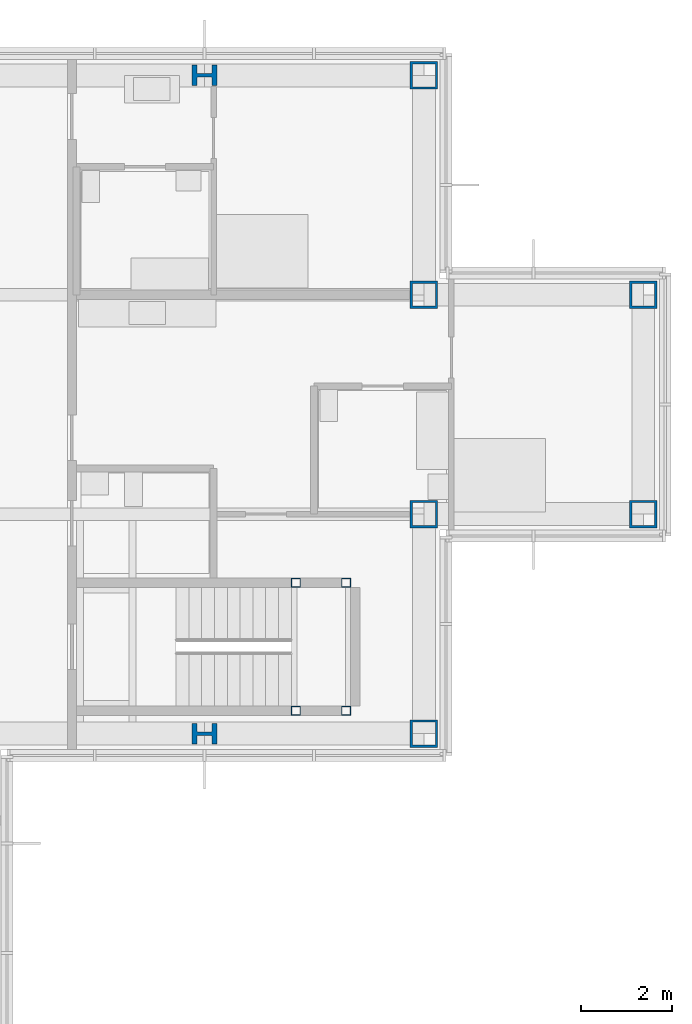
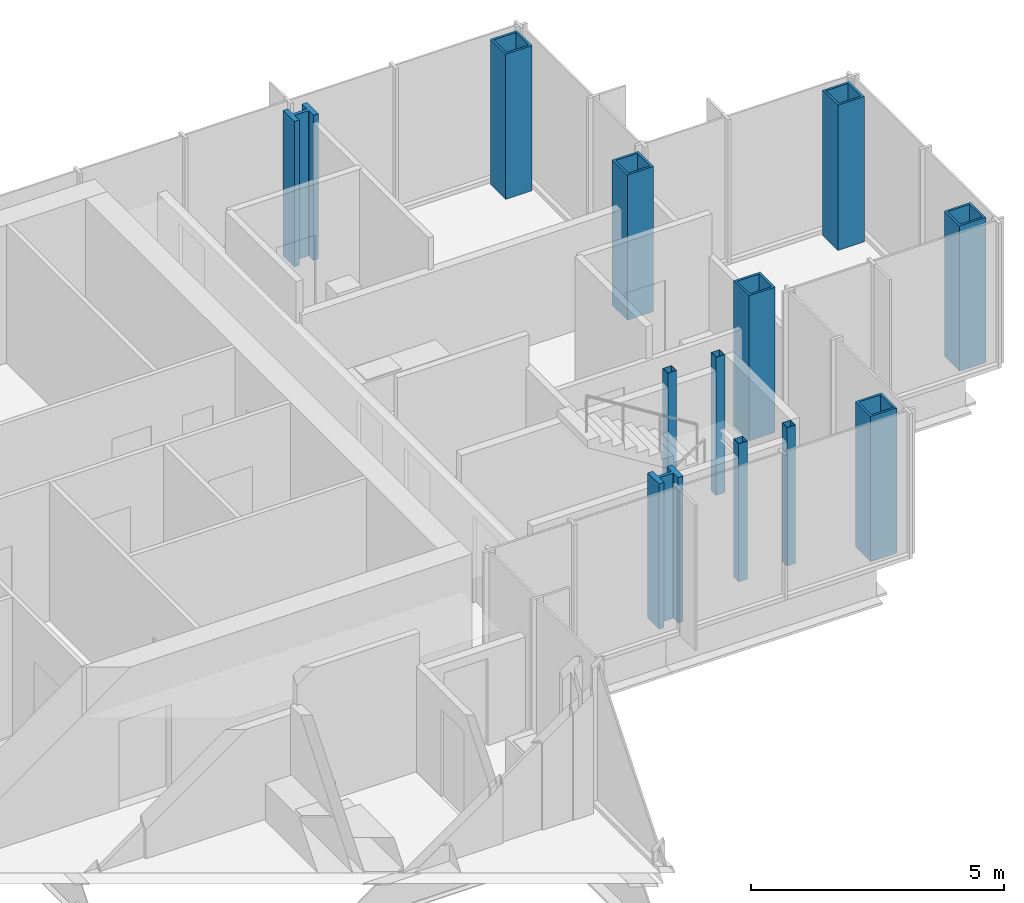
# One storey, part 4 of 15: 12 columns.
"""IFC4 building model written with IfcOpenShell, lengths in metres."""

from ifc_helpers import new_model, si_unit, direction, frame, origin, origin_2d, place, context, subcontext, project, spatial, hollow_rectangle, i_section, extrude, material, material_profile, profile_set, type_object, element, save


model = new_model("IFC4")

# Units and contexts
model_context = context("Model", 3, precision=1e-05, world=origin(), true_north=direction((0.0, 1.0)))
body_context = subcontext(model_context, "Body", "Model", "MODEL_VIEW")
ifc_project = project(units=[si_unit("LENGTHUNIT", "METRE"), si_unit("AREAUNIT", "SQUARE_METRE"), si_unit("VOLUMEUNIT", "CUBIC_METRE"), si_unit("PLANEANGLEUNIT", "RADIAN"), si_unit("MASSUNIT", "GRAM", prefix="KILO")], contexts=[model_context])

# Site, building, storey
site_placement = place(None, origin())
site = spatial("IfcSite", under=ifc_project, at=site_placement, CompositionType="ELEMENT")
building_placement = place(site_placement, origin())
building = spatial("IfcBuilding", under=site, at=building_placement, Name="Kvirike Care Tower", CompositionType="ELEMENT")
storey_placement = place(building_placement, frame((0.0, 0.0, 222.5)))
storey = spatial("IfcBuildingStorey", under=building, at=storey_placement, Name="L61", CompositionType="ELEMENT", Elevation=222.5)

# Columns
ifc_material_1 = material(Name="Steel S460", Category="steel")
ifc_material_profile_1 = material_profile(ifc_material_1, hollow_rectangle(XDim=0.60009765625, YDim=0.60009765625, WallThickness=0.050048828125, at=origin_2d()), Name="BX 600x600x50")
ifc_profile_set_1 = profile_set([ifc_material_profile_1], Name="Steel S460")
column_type_1 = type_object("IfcColumnType", Name="COLUMN BX 600x600x50", PredefinedType="COLUMN", material=ifc_profile_set_1)
for number, where, z_axis, x_axis, name in (
    (1, (38.39990234375, 28.800048828125, 0.0), (0.0, 0.0, 1.0), (0.0, 1.0, 0.0), "Column G11 L61"),
    (2, (38.39990234375, 33.60009765625, 0.0), (0.0, 0.0, 1.0), (0.0, 1.0, 0.0), "Column H11 L61"),
    (3, (38.39990234375, 38.39990234375, 0.0), (0.0, 0.0, 1.0), (0.0, 1.0, 0.0), "Column J11 L61"),
    (4, (38.39990234375, 43.199951171875, 0.0), (0.0, 0.0, 1.0), (0.0, 1.0, 0.0), "Column K11 L61"),
    (5, (43.199951171875, 33.60009765625, 0.0), (0.0, 0.0, 1.0), (0.0, 1.0, 0.0), "Column H12 L61"),
    (6, (43.199951171875, 38.39990234375, 0.0), (0.0, 0.0, 1.0), (0.0, 1.0, 0.0), "Column J12 L61"),
):
    element("IfcColumn", number, at=place(storey_placement, frame(where, z_axis=z_axis, x_axis=x_axis)), inside=storey, type_object=column_type_1, Name=name, PredefinedType="COLUMN", context=body_context, shape_type="SweptSolid", body=[
        extrude(hollow_rectangle(XDim=0.60009765625, YDim=0.60009765625, WallThickness=0.050048828125, at=origin_2d()), origin(), (0.0, 0.0, 1.0), 3.5),
    ])
ifc_material_2 = material(Name="Steel S460", Category="steel")
ifc_material_profile_2 = material_profile(ifc_material_2, i_section(OverallWidth=0.447998046875, OverallDepth=0.550048828125, WebThickness=0.072021484375, FlangeThickness=0.114990234375, FilletRadius=0.014892578125, at=origin_2d()), Name="HD 400x990")
ifc_profile_set_2 = profile_set([ifc_material_profile_2], Name="Steel S460")
column_type_2 = type_object("IfcColumnType", Name="COLUMN HD 400x990", PredefinedType="COLUMN", material=ifc_profile_set_2)
for number, where, z_axis, x_axis, name in (
    (7, (33.60009765625, 28.800048828125, 0.0), (0.0, 0.0, 1.0), (0.0, 1.0, 0.0), "Column G10 L61"),
    (8, (33.60009765625, 43.199951171875, 0.0), (0.0, 0.0, 1.0), (0.0, 1.0, 0.0), "Column K10 L61"),
):
    element("IfcColumn", number, at=place(storey_placement, frame(where, z_axis=z_axis, x_axis=x_axis)), inside=storey, type_object=column_type_2, Name=name, PredefinedType="COLUMN", context=body_context, shape_type="SweptSolid", body=[
        extrude(i_section(OverallWidth=0.447998046875, OverallDepth=0.550048828125, WebThickness=0.072021484375, FlangeThickness=0.114990234375, FilletRadius=0.014892578125, at=origin_2d()), origin(), (0.0, 0.0, 1.0), 3.5),
    ])
ifc_material_3 = material(Name="Steel S460", Category="steel")
ifc_material_profile_3 = material_profile(ifc_material_3, hollow_rectangle(XDim=0.199951171875, YDim=0.199951171875, WallThickness=0.008056640625, at=origin_2d()), Name="SHS 200x200x8")
ifc_profile_set_3 = profile_set([ifc_material_profile_3], Name="Steel S460")
column_type_3 = type_object("IfcColumnType", Name="STAIR POST SHS 200x200x8", PredefinedType="COLUMN", material=ifc_profile_set_3)
for number, where, z_axis, x_axis, name in (
    (9, (36.699951171875, 29.300048828125, 0.0), (0.0, 0.0, 1.0), (1.0, 0.0, 0.0), "Stair 2 post 1 L61"),
    (10, (36.699951171875, 32.10009765625, 0.0), (0.0, 0.0, 1.0), (1.0, 0.0, 0.0), "Stair 2 post 2 L61"),
    (11, (35.60009765625, 29.300048828125, 0.0), (0.0, 0.0, 1.0), (1.0, 0.0, 0.0), "Stair 2 post 3 L61"),
    (12, (35.60009765625, 32.10009765625, 0.0), (0.0, 0.0, 1.0), (1.0, 0.0, 0.0), "Stair 2 post 4 L61"),
):
    element("IfcColumn", number, at=place(storey_placement, frame(where, z_axis=z_axis, x_axis=x_axis)), inside=storey, type_object=column_type_3, Name=name, PredefinedType="COLUMN", context=body_context, shape_type="SweptSolid", body=[
        extrude(hollow_rectangle(XDim=0.199951171875, YDim=0.199951171875, WallThickness=0.008056640625, at=origin_2d()), origin(), (0.0, 0.0, 1.0), 3.330078125),
    ])

save(model, "model.ifc")
